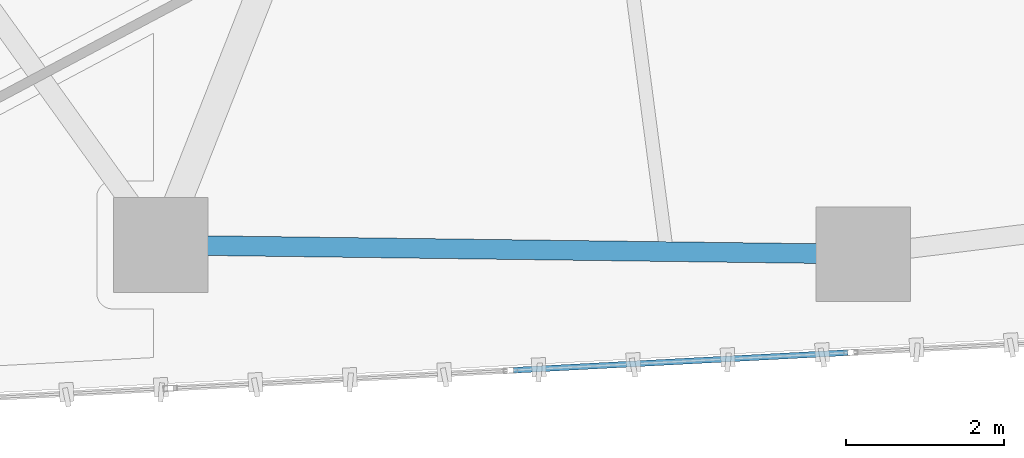
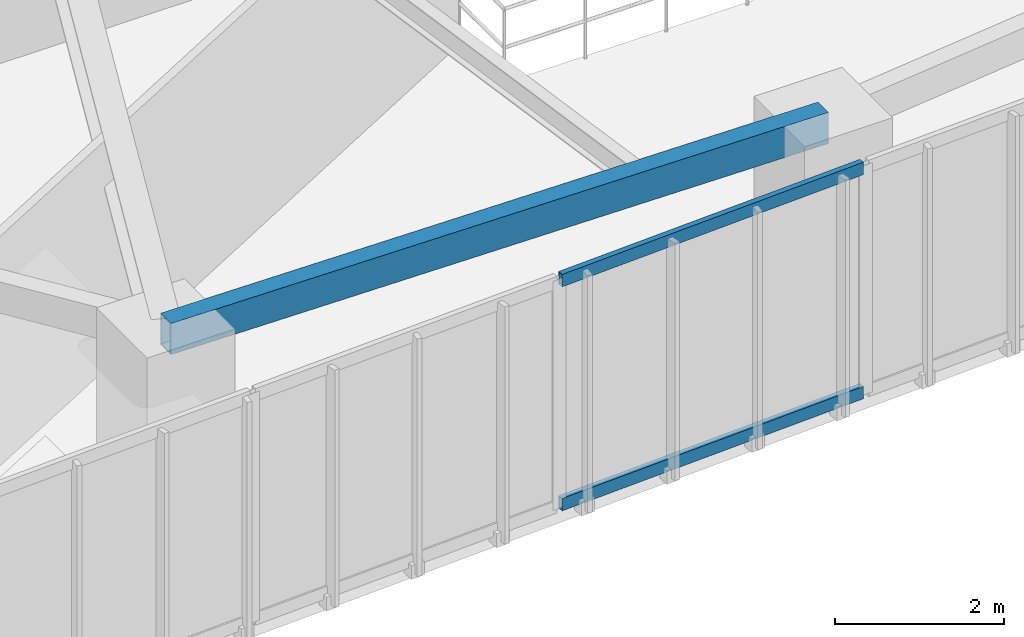
# One storey, part 3 of 23: 2 members, 1 beam, 1 element without a shape of its own.
"""IFC4 building model written with IfcOpenShell, lengths in metres."""

from ifc_helpers import new_model, si_unit, direction, frame, origin, origin_2d, place, context, subcontext, project, spatial, hollow_rectangle, extrude, source, transform, mapped, material, layer, layer_set, material_profile, profile_set, type_object, type_shapes, element, aggregate, save


model = new_model("IFC4")

# Units and contexts
model_context = context("Model", 3, precision=1e-05, world=origin(), true_north=direction((0.0, 1.0)))
body_context = subcontext(model_context, "Body", "Model", "MODEL_VIEW")
ifc_project = project(units=[si_unit("LENGTHUNIT", "METRE"), si_unit("AREAUNIT", "SQUARE_METRE"), si_unit("VOLUMEUNIT", "CUBIC_METRE"), si_unit("PLANEANGLEUNIT", "RADIAN"), si_unit("MASSUNIT", "GRAM", prefix="KILO")], contexts=[model_context])

# Site, building, storey
site_placement = place(None, origin())
site = spatial("IfcSite", under=ifc_project, at=site_placement, CompositionType="ELEMENT")
building_placement = place(site_placement, origin())
building = spatial("IfcBuilding", under=site, at=building_placement, Name="Talar Marvaseh", CompositionType="ELEMENT")
storey_placement = place(building_placement, frame((0.0, 0.0, 100.199951171875)))
storey = spatial("IfcBuildingStorey", under=building, at=storey_placement, Name="L25", CompositionType="ELEMENT", Elevation=100.199951171875)

# Beam
ifc_material_1 = material(Name="Steel S355", Category="steel")
ifc_material_profile_1 = material_profile(ifc_material_1, hollow_rectangle(XDim=0.25, YDim=0.449951171875, WallThickness=0.01611328125, at=origin_2d()), Name="RHS450x250x16")
ifc_profile_set_1 = profile_set([ifc_material_profile_1], Name="Steel S355")
beam_type = type_object("IfcBeamType", Name="Zone 2 Perimeter Spandrel Beam RHS450x250x16", PredefinedType="SPANDREL", material=ifc_profile_set_1)
beam_placement = place(storey_placement, frame((22.804931640625, 13.18310546875, 3.0849609375), z_axis=(-0.999915383581, 0.013008677034, 0.0), x_axis=(-0.013008677034, -0.999915383581, 0.0)))
element("IfcBeam", 1, at=beam_placement, inside=storey, type_object=beam_type, Name="L25 Zone 2 Perimeter Spandrel Beam RHS450x250x16", PredefinedType="SPANDREL", context=body_context, shape_type="SweptSolid", body=[
    extrude(hollow_rectangle(XDim=0.25, YDim=0.449951171875, WallThickness=0.01611328125, at=origin_2d()), origin(), (0.0, 0.0, 1.0), 8.91455078125),
])

# Curtain wall, members
ifc_material_2 = material(Name="Architectural Aluminium", Category="aluminium")
ifc_layer = layer(ifc_material_2, 0.199951171875)
ifc_layer_set = layer_set([ifc_layer], Name="Architectural Aluminium")
curtain_wall_type = type_object("IfcCurtainWallType", Name="Unitised Acoustic Library Curtain Wall Z2", PredefinedType="NOTDEFINED", material=ifc_layer_set)
curtain_wall_placement = place(storey_placement, origin())
curtain_wall = element("IfcCurtainWall", 2, at=curtain_wall_placement, inside=storey, type_object=curtain_wall_type, Name="L25 Unitised Acoustic Library Curtain Wall Z2", PredefinedType="NOTDEFINED")
ifc_material_profile_2 = material_profile(ifc_material_2, hollow_rectangle(XDim=0.074951171875, YDim=0.179931640625, WallThickness=0.0048828125, at=origin_2d()), Name="RHS180x75x5")
ifc_profile_set_2 = profile_set([ifc_material_profile_2], Name="Architectural Aluminium")
member_type = type_object("IfcMemberType", Name="Unitised Curtain Wall Transom RHS180x75x5", PredefinedType="USERDEFINED", material=ifc_profile_set_2)
shared_shape = source(origin(), body_context, "Body", "SweptSolid", [
    extrude(hollow_rectangle(XDim=0.074951171875, YDim=0.179931640625, WallThickness=0.0048828125, at=origin_2d()), origin(), (0.0, 0.0, 1.0), 4.24853515625),
])
type_shapes(member_type, [shared_shape])
member_1_placement = place(storey_placement, frame((22.60791015625, 11.933837890625, 0.03759765625), z_axis=(-0.998622745971, -0.052465333587, 0.0), x_axis=(0.052465333587, -0.998622745971, 0.0)))
member_1 = element("IfcMember", 3, at=member_1_placement, type_object=member_type, Name="CW-Z2 transom 3.1", ObjectType="TRANSOM", PredefinedType="USERDEFINED", context=body_context, shape_type="MappedRepresentation", body=[
    mapped(shared_shape, transform((0.0, 0.0, 0.0), x_axis=(1.0, 0.0, 0.0), y_axis=(0.0, 1.0, 0.0), z_axis=(0.0, 0.0, 1.0), scale=1.0)),
])
member_2_placement = place(storey_placement, frame((22.60791015625, 11.933837890625, 3.2724609375), z_axis=(-0.998622745971, -0.052465333587, 0.0), x_axis=(0.052465333587, -0.998622745971, 0.0)))
member_2 = element("IfcMember", 4, at=member_2_placement, type_object=member_type, Name="CW-Z2 transom 3.2", ObjectType="TRANSOM", PredefinedType="USERDEFINED", context=body_context, shape_type="MappedRepresentation", body=[
    mapped(shared_shape, transform((0.0, 0.0, 0.0), x_axis=(1.0, 0.0, 0.0), y_axis=(0.0, 1.0, 0.0), z_axis=(0.0, 0.0, 1.0), scale=1.0)),
])
aggregate(curtain_wall, [member_1, member_2])

save(model, "model.ifc")
